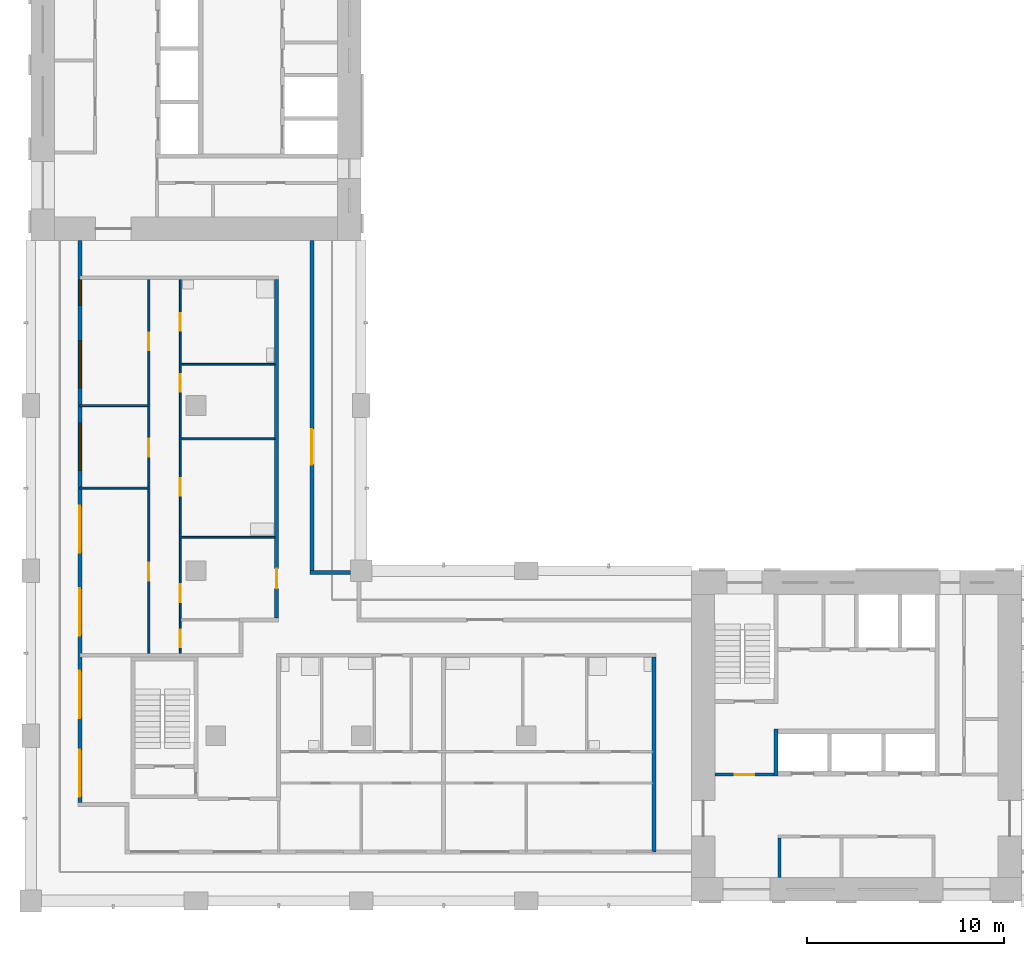
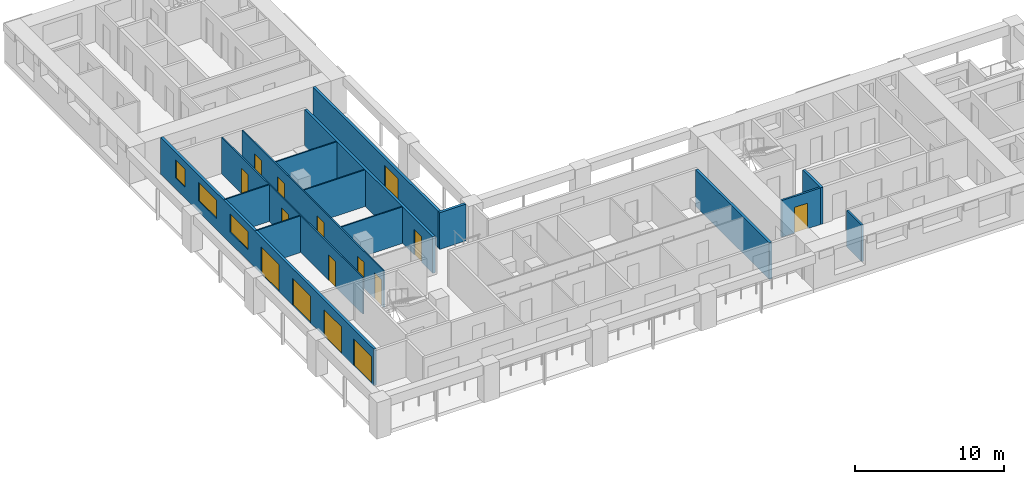
# One storey, part 3 of 11: 15 doors, 15 walls, 3 windows, 18 openings.
"""IFC4 building model written with IfcOpenShell, lengths in metres."""

from ifc_helpers import new_model, si_unit, direction, frame, frame_2d, origin, place, context, subcontext, project, spatial, rectangle, extrude, material, layer, layer_set, type_object, element, fill, save


model = new_model("IFC4")

# Units and contexts
model_context = context("Model", 3, precision=1e-05, world=origin(), true_north=direction((0.0, 1.0)))
body_context = subcontext(model_context, "Body", "Model", "MODEL_VIEW")
ifc_project = project(units=[si_unit("LENGTHUNIT", "METRE"), si_unit("AREAUNIT", "SQUARE_METRE"), si_unit("VOLUMEUNIT", "CUBIC_METRE"), si_unit("PLANEANGLEUNIT", "RADIAN"), si_unit("MASSUNIT", "GRAM", prefix="KILO")], contexts=[model_context])

# Site, building, storey
site_placement = place(None, origin())
site = spatial("IfcSite", under=ifc_project, at=site_placement, CompositionType="ELEMENT")
building_placement = place(site_placement, origin())
building = spatial("IfcBuilding", under=site, at=building_placement, Name="Vermilion Gate Residences", CompositionType="ELEMENT")
storey_placement = place(building_placement, frame((0.0, 0.0, 203.699951171875)))
storey = spatial("IfcBuildingStorey", under=building, at=storey_placement, Name="L53", CompositionType="ELEMENT", Elevation=203.699951171875)

# Wall
ifc_material_1 = material(Name="Masonry blockwork", Category="masonry")
ifc_layer_1 = layer(ifc_material_1, 0.14990234375)
ifc_layer_set_1 = layer_set([ifc_layer_1], Name="BLOCKWORK PARTITION 150 EI 120")
wall_type_1 = type_object("IfcWallType", Name="BLOCKWORK PARTITION 150 EI 120", PredefinedType="PARTITIONING", material=ifc_layer_set_1)
wall_1_placement = place(storey_placement, frame((46.47509765625, 9.60009765625, 0.0), z_axis=(0.0, 0.0, 1.0), x_axis=(0.0, 1.0, 0.0)))
element("IfcWall", 1, at=wall_1_placement, inside=storey, type_object=wall_type_1, Name="Core room partition A53-RW-W", PredefinedType="PARTITIONING", context=body_context, shape_type="SweptSolid", body=[
    extrude(rectangle(XDim=2.0, YDim=0.14990234375, at=frame_2d((1.0, 0.0))), origin(), (0.0, 0.0, 1.0), 3.0),
])

# Wall, opening, door
wall_2_placement = place(storey_placement, frame((43.199951171875, 14.824951171875, 0.0), z_axis=(0.0, 0.0, 1.0), x_axis=(1.0, 0.0, 0.0)))
wall_2 = element("IfcWall", 2, at=wall_2_placement, inside=storey, type_object=wall_type_1, Name="Core room partition A53-VW-S", PredefinedType="PARTITIONING", context=body_context, shape_type="SweptSolid", body=[
    extrude(rectangle(XDim=3.0, YDim=0.14990234375, at=frame_2d((1.5, 0.0))), origin(), (0.0, 0.0, 1.0), 3.0),
])
opening_1_placement = place(wall_2_placement, frame((1.0, 0.0, 0.0)))
opening_1 = element("IfcOpeningElement", 3, at=opening_1_placement, cuts=wall_2, Name="Opening DK53012", PredefinedType="OPENING", context=body_context, shape_type="SweptSolid", body=[
    extrude(rectangle(XDim=1.0, YDim=2.10009765625, at=frame_2d((0.5, 1.050048828125))), frame((0.0, 0.0849609375, 0.0), z_axis=(0.0, -1.0, 0.0), x_axis=(1.0, 0.0, 0.0)), (0.0, 0.0, 1.0), 0.169921875),
])
ifc_material_2 = material(Name="Steel", Category="steel")
door_type_1 = type_object("IfcDoorType", Name="FIRE DOOR FD60 1000 X 2100", OperationType="SINGLE_SWING_LEFT", PredefinedType="DOOR", material=ifc_material_2)
door_1_placement = place(opening_1_placement, frame((1.0, 0.0, 0.0), z_axis=(0.0, 0.0, 1.0), x_axis=(-1.0, 0.0, 0.0)))
door_1 = element("IfcDoor", 4, at=door_1_placement, inside=storey, type_object=door_type_1, Name="Stair vestibule door A53", OperationType="SINGLE_SWING_RIGHT", OverallHeight=2.10009765625, OverallWidth=1.0, PredefinedType="DOOR", context=body_context, shape_type="SweptSolid", body=[
    extrude(rectangle(XDim=1.0, YDim=2.10009765625, at=frame_2d((0.5, 1.050048828125))), frame((0.0, 0.02490234375, 0.0), z_axis=(0.0, -1.0, 0.0), x_axis=(1.0, 0.0, 0.0)), (0.0, 0.0, 1.0), 0.050048828125),
])
fill(opening_1, door_1)

# Wall, openings, doors, windows
ifc_material_3 = material(Name="Insulated steel stud wall with terracotta rainscreen", Category="masonry")
ifc_layer_2 = layer(ifc_material_3, 0.199951171875)
ifc_layer_set_2 = layer_set([ifc_layer_2], Name="EXTERNAL WALL 200 TERRACOTTA RAINSCREEN")
wall_type_2 = type_object("IfcWallType", Name="EXTERNAL WALL 200 TERRACOTTA RAINSCREEN", PredefinedType="SOLIDWALL", material=ifc_layer_set_2)
wall_3_placement = place(storey_placement, frame((10.89990234375, 42.0, 0.0), z_axis=(0.0, 0.0, 1.0), x_axis=(0.0, -1.0, 0.0)))
wall_3 = element("IfcWall", 5, at=wall_3_placement, inside=storey, type_object=wall_type_2, Name="External wall", PredefinedType="SOLIDWALL", context=body_context, shape_type="SweptSolid", body=[
    extrude(rectangle(XDim=28.60009765625, YDim=0.199951171875, at=frame_2d((14.300048828125, 0.0))), origin(), (0.0, 0.0, 1.0), 3.0),
])
opening_2_placement = place(wall_3_placement, frame((25.89990234375, 0.0, 0.0)))
opening_2 = element("IfcOpeningElement", 6, at=opening_2_placement, cuts=wall_3, Name="Opening DE53001", PredefinedType="OPENING", context=body_context, shape_type="SweptSolid", body=[
    extrude(rectangle(XDim=2.39990234375, YDim=2.199951171875, at=frame_2d((1.199951171875, 1.10009765625))), frame((0.0, 0.10986328125, 0.0), z_axis=(0.0, -1.0, 0.0), x_axis=(1.0, 0.0, 0.0)), (0.0, 0.0, 1.0), 0.219970703125),
])
opening_3_placement = place(wall_3_placement, frame((21.89990234375, 0.0, 0.0)))
opening_3 = element("IfcOpeningElement", 7, at=opening_3_placement, cuts=wall_3, Name="Opening DE53002", PredefinedType="OPENING", context=body_context, shape_type="SweptSolid", body=[
    extrude(rectangle(XDim=2.39990234375, YDim=2.199951171875, at=frame_2d((1.199951171875, 1.10009765625))), frame((0.0, 0.10986328125, 0.0), z_axis=(0.0, -1.0, 0.0), x_axis=(1.0, 0.0, 0.0)), (0.0, 0.0, 1.0), 0.219970703125),
])
opening_4_placement = place(wall_3_placement, frame((17.699951171875, 0.0, 0.0)))
opening_4 = element("IfcOpeningElement", 8, at=opening_4_placement, cuts=wall_3, Name="Opening DE53003", PredefinedType="OPENING", context=body_context, shape_type="SweptSolid", body=[
    extrude(rectangle(XDim=2.39990234375, YDim=2.199951171875, at=frame_2d((1.199951171875, 1.10009765625))), frame((0.0, 0.10986328125, 0.0), z_axis=(0.0, -1.0, 0.0), x_axis=(1.0, 0.0, 0.0)), (0.0, 0.0, 1.0), 0.219970703125),
])
opening_5_placement = place(wall_3_placement, frame((13.5, 0.0, 0.0)))
opening_5 = element("IfcOpeningElement", 9, at=opening_5_placement, cuts=wall_3, Name="Opening DE53004", PredefinedType="OPENING", context=body_context, shape_type="SweptSolid", body=[
    extrude(rectangle(XDim=2.39990234375, YDim=2.199951171875, at=frame_2d((1.199951171875, 1.10009765625))), frame((0.0, 0.10986328125, 0.0), z_axis=(0.0, -1.0, 0.0), x_axis=(1.0, 0.0, 0.0)), (0.0, 0.0, 1.0), 0.219970703125),
])
opening_6_placement = place(wall_3_placement, frame((9.300048828125, 0.0, 0.89990234375)))
opening_6 = element("IfcOpeningElement", 10, at=opening_6_placement, cuts=wall_3, Name="Opening WE53005", PredefinedType="OPENING", context=body_context, shape_type="SweptSolid", body=[
    extrude(rectangle(XDim=2.39990234375, YDim=1.5, at=frame_2d((1.199951171875, 0.75))), frame((0.0, 0.10986328125, 0.0), z_axis=(0.0, -1.0, 0.0), x_axis=(1.0, 0.0, 0.0)), (0.0, 0.0, 1.0), 0.219970703125),
])
opening_7_placement = place(wall_3_placement, frame((5.10009765625, 0.0, 0.89990234375)))
opening_7 = element("IfcOpeningElement", 11, at=opening_7_placement, cuts=wall_3, Name="Opening WE53006", PredefinedType="OPENING", context=body_context, shape_type="SweptSolid", body=[
    extrude(rectangle(XDim=2.39990234375, YDim=1.5, at=frame_2d((1.199951171875, 0.75))), frame((0.0, 0.10986328125, 0.0), z_axis=(0.0, -1.0, 0.0), x_axis=(1.0, 0.0, 0.0)), (0.0, 0.0, 1.0), 0.219970703125),
])
opening_8_placement = place(wall_3_placement, frame((2.0, 0.0, 0.89990234375)))
opening_8 = element("IfcOpeningElement", 12, at=opening_8_placement, cuts=wall_3, Name="Opening WE53007", PredefinedType="OPENING", context=body_context, shape_type="SweptSolid", body=[
    extrude(rectangle(XDim=1.300048828125, YDim=1.5, at=frame_2d((0.64990234375, 0.75))), frame((0.0, 0.10986328125, 0.0), z_axis=(0.0, -1.0, 0.0), x_axis=(1.0, 0.0, 0.0)), (0.0, 0.0, 1.0), 0.219970703125),
])
ifc_material_4 = material(Name="Aluminium and clear glass", Category="aluminium")
door_type_2 = type_object("IfcDoorType", Name="SLIDING GLAZED DOOR 2400 X 2200", OperationType="DOUBLE_DOOR_SLIDING", PredefinedType="DOOR", material=ifc_material_4)
door_2_placement = place(opening_2_placement, origin())
door_2 = element("IfcDoor", 13, at=door_2_placement, inside=storey, type_object=door_type_2, Name="Loggia sliding door", OperationType="DOUBLE_DOOR_SLIDING", OverallHeight=2.199951171875, OverallWidth=2.39990234375, PredefinedType="DOOR", context=body_context, shape_type="SweptSolid", body=[
    extrude(rectangle(XDim=2.39990234375, YDim=2.199951171875, at=frame_2d((1.199951171875, 1.10009765625))), frame((0.0, 0.02490234375, 0.0), z_axis=(0.0, -1.0, 0.0), x_axis=(1.0, 0.0, 0.0)), (0.0, 0.0, 1.0), 0.050048828125),
])
fill(opening_2, door_2)
door_3_placement = place(opening_3_placement, origin())
door_3 = element("IfcDoor", 14, at=door_3_placement, inside=storey, type_object=door_type_2, Name="Loggia sliding door", OperationType="DOUBLE_DOOR_SLIDING", OverallHeight=2.199951171875, OverallWidth=2.39990234375, PredefinedType="DOOR", context=body_context, shape_type="SweptSolid", body=[
    extrude(rectangle(XDim=2.39990234375, YDim=2.199951171875, at=frame_2d((1.199951171875, 1.10009765625))), frame((0.0, 0.02490234375, 0.0), z_axis=(0.0, -1.0, 0.0), x_axis=(1.0, 0.0, 0.0)), (0.0, 0.0, 1.0), 0.050048828125),
])
fill(opening_3, door_3)
door_4_placement = place(opening_4_placement, origin())
door_4 = element("IfcDoor", 15, at=door_4_placement, inside=storey, type_object=door_type_2, Name="Loggia sliding door", OperationType="DOUBLE_DOOR_SLIDING", OverallHeight=2.199951171875, OverallWidth=2.39990234375, PredefinedType="DOOR", context=body_context, shape_type="SweptSolid", body=[
    extrude(rectangle(XDim=2.39990234375, YDim=2.199951171875, at=frame_2d((1.199951171875, 1.10009765625))), frame((0.0, 0.02490234375, 0.0), z_axis=(0.0, -1.0, 0.0), x_axis=(1.0, 0.0, 0.0)), (0.0, 0.0, 1.0), 0.050048828125),
])
fill(opening_4, door_4)
door_5_placement = place(opening_5_placement, origin())
door_5 = element("IfcDoor", 16, at=door_5_placement, inside=storey, type_object=door_type_2, Name="Loggia sliding door", OperationType="DOUBLE_DOOR_SLIDING", OverallHeight=2.199951171875, OverallWidth=2.39990234375, PredefinedType="DOOR", context=body_context, shape_type="SweptSolid", body=[
    extrude(rectangle(XDim=2.39990234375, YDim=2.199951171875, at=frame_2d((1.199951171875, 1.10009765625))), frame((0.0, 0.02490234375, 0.0), z_axis=(0.0, -1.0, 0.0), x_axis=(1.0, 0.0, 0.0)), (0.0, 0.0, 1.0), 0.050048828125),
])
fill(opening_5, door_5)
ifc_material_5 = material(Name="Aluminium and clear glass", Category="aluminium")
window_type_1 = type_object("IfcWindowType", Name="WINDOW 1300 X 1500", PartitioningType="SINGLE_PANEL", PredefinedType="WINDOW", material=ifc_material_5)
window_1_placement = place(opening_8_placement, origin())
window_1 = element("IfcWindow", 17, at=window_1_placement, inside=storey, type_object=window_type_1, Name="Window", OverallHeight=1.5, OverallWidth=1.300048828125, PartitioningType="SINGLE_PANEL", PredefinedType="WINDOW", context=body_context, shape_type="SweptSolid", body=[
    extrude(rectangle(XDim=1.300048828125, YDim=1.5, at=frame_2d((0.64990234375, 0.75))), frame((0.0, 0.030029296875, 0.0), z_axis=(0.0, -1.0, 0.0), x_axis=(1.0, 0.0, 0.0)), (0.0, 0.0, 1.0), 0.06005859375),
])
fill(opening_8, window_1)
ifc_material_6 = material(Name="Aluminium and clear glass", Category="aluminium")
window_type_2 = type_object("IfcWindowType", Name="WINDOW 2400 X 1500", PartitioningType="SINGLE_PANEL", PredefinedType="WINDOW", material=ifc_material_6)
window_2_placement = place(opening_6_placement, origin())
window_2 = element("IfcWindow", 18, at=window_2_placement, inside=storey, type_object=window_type_2, Name="Window", OverallHeight=1.5, OverallWidth=2.39990234375, PartitioningType="SINGLE_PANEL", PredefinedType="WINDOW", context=body_context, shape_type="SweptSolid", body=[
    extrude(rectangle(XDim=2.39990234375, YDim=1.5, at=frame_2d((1.199951171875, 0.75))), frame((0.0, 0.030029296875, 0.0), z_axis=(0.0, -1.0, 0.0), x_axis=(1.0, 0.0, 0.0)), (0.0, 0.0, 1.0), 0.06005859375),
])
fill(opening_6, window_2)
window_3_placement = place(opening_7_placement, origin())
window_3 = element("IfcWindow", 19, at=window_3_placement, inside=storey, type_object=window_type_2, Name="Window", OverallHeight=1.5, OverallWidth=2.39990234375, PartitioningType="SINGLE_PANEL", PredefinedType="WINDOW", context=body_context, shape_type="SweptSolid", body=[
    extrude(rectangle(XDim=2.39990234375, YDim=1.5, at=frame_2d((1.199951171875, 0.75))), frame((0.0, 0.030029296875, 0.0), z_axis=(0.0, -1.0, 0.0), x_axis=(1.0, 0.0, 0.0)), (0.0, 0.0, 1.0), 0.06005859375),
])
fill(opening_7, window_3)

# Wall
wall_4_placement = place(storey_placement, frame((24.64990234375, 25.10009765625, 0.0), z_axis=(0.0, 0.0, 1.0), x_axis=(-1.0, 0.0, 0.0)))
element("IfcWall", 20, at=wall_4_placement, inside=storey, type_object=wall_type_2, Name="External wall", PredefinedType="SOLIDWALL", context=body_context, shape_type="SweptSolid", body=[
    extrude(rectangle(XDim=2.0498046875, YDim=0.199951171875, at=frame_2d((1.02490234375, 0.0))), origin(), (0.0, 0.0, 1.0), 3.0),
])

# Wall, opening, door
wall_5_placement = place(storey_placement, frame((22.699951171875, 25.199951171875, 0.0), z_axis=(0.0, 0.0, 1.0), x_axis=(0.0, 1.0, 0.0)))
wall_5 = element("IfcWall", 21, at=wall_5_placement, inside=storey, type_object=wall_type_2, Name="External wall", PredefinedType="SOLIDWALL", context=body_context, shape_type="SweptSolid", body=[
    extrude(rectangle(XDim=16.800048828125, YDim=0.199951171875, at=frame_2d((8.39990234375, 0.0))), origin(), (0.0, 0.0, 1.0), 3.0),
])
opening_9_placement = place(wall_5_placement, frame((5.39990234375, 0.0, 0.0)))
opening_9 = element("IfcOpeningElement", 22, at=opening_9_placement, cuts=wall_5, Name="Opening DE53021", PredefinedType="OPENING", context=body_context, shape_type="SweptSolid", body=[
    extrude(rectangle(XDim=1.800048828125, YDim=2.39990234375, at=frame_2d((0.89990234375, 1.199951171875))), frame((0.0, 0.10986328125, 0.0), z_axis=(0.0, -1.0, 0.0), x_axis=(1.0, 0.0, 0.0)), (0.0, 0.0, 1.0), 0.219970703125),
])
ifc_material_7 = material(Name="Aluminium and clear glass", Category="aluminium")
door_type_3 = type_object("IfcDoorType", Name="GLAZED EXTERNAL DOOR 1800 X 2400", OperationType="DOUBLE_DOOR_SINGLE_SWING", PredefinedType="DOOR", material=ifc_material_7)
door_6_placement = place(opening_9_placement, frame((1.800048828125, 0.0, 0.0), z_axis=(0.0, 0.0, 1.0), x_axis=(-1.0, 0.0, 0.0)))
door_6 = element("IfcDoor", 23, at=door_6_placement, inside=storey, type_object=door_type_3, Name="Gallery door", OperationType="DOUBLE_DOOR_SINGLE_SWING", OverallHeight=2.39990234375, OverallWidth=1.800048828125, PredefinedType="DOOR", context=body_context, shape_type="SweptSolid", body=[
    extrude(rectangle(XDim=1.800048828125, YDim=2.39990234375, at=frame_2d((0.89990234375, 1.199951171875))), frame((0.0, 0.02490234375, 0.0), z_axis=(0.0, -1.0, 0.0), x_axis=(1.0, 0.0, 0.0)), (0.0, 0.0, 1.0), 0.050048828125),
])
fill(opening_9, door_6)

# Walls
ifc_material_8 = material(Name="Plasterboard on steel studs", Category="steel")
ifc_layer_3 = layer(ifc_material_8, 0.10009765625)
ifc_layer_set_3 = layer_set([ifc_layer_3], Name="PARTITION 100")
wall_type_3 = type_object("IfcWallType", Name="PARTITION 100", PredefinedType="PARTITIONING", material=ifc_layer_set_3)
wall_6_placement = place(storey_placement, frame((16.050048828125, 26.89990234375, 0.0), z_axis=(0.0, 0.0, 1.0), x_axis=(1.0, 0.0, 0.0)))
element("IfcWall", 24, at=wall_6_placement, inside=storey, type_object=wall_type_3, Name="Partition", PredefinedType="PARTITIONING", context=body_context, shape_type="SweptSolid", body=[
    extrude(rectangle(XDim=4.75, YDim=0.10009765625, at=frame_2d((2.375, 0.0))), origin(), (0.0, 0.0, 1.0), 3.0),
])
wall_7_placement = place(storey_placement, frame((10.89990234375, 29.39990234375, 0.0), z_axis=(0.0, 0.0, 1.0), x_axis=(1.0, 0.0, 0.0)))
element("IfcWall", 25, at=wall_7_placement, inside=storey, type_object=wall_type_3, Name="Partition", PredefinedType="PARTITIONING", context=body_context, shape_type="SweptSolid", body=[
    extrude(rectangle(XDim=3.4501953125, YDim=0.10009765625, at=frame_2d((1.72509765625, 0.0))), origin(), (0.0, 0.0, 1.0), 3.0),
])
wall_8_placement = place(storey_placement, frame((16.050048828125, 31.89990234375, 0.0), z_axis=(0.0, 0.0, 1.0), x_axis=(1.0, 0.0, 0.0)))
element("IfcWall", 26, at=wall_8_placement, inside=storey, type_object=wall_type_3, Name="Partition", PredefinedType="PARTITIONING", context=body_context, shape_type="SweptSolid", body=[
    extrude(rectangle(XDim=4.75, YDim=0.10009765625, at=frame_2d((2.375, 0.0))), origin(), (0.0, 0.0, 1.0), 3.0),
])
wall_9_placement = place(storey_placement, frame((10.89990234375, 33.60009765625, 0.0), z_axis=(0.0, 0.0, 1.0), x_axis=(1.0, 0.0, 0.0)))
element("IfcWall", 27, at=wall_9_placement, inside=storey, type_object=wall_type_3, Name="Partition", PredefinedType="PARTITIONING", context=body_context, shape_type="SweptSolid", body=[
    extrude(rectangle(XDim=3.4501953125, YDim=0.10009765625, at=frame_2d((1.72509765625, 0.0))), origin(), (0.0, 0.0, 1.0), 3.0),
])
wall_10_placement = place(storey_placement, frame((16.050048828125, 35.699951171875, 0.0), z_axis=(0.0, 0.0, 1.0), x_axis=(1.0, 0.0, 0.0)))
element("IfcWall", 28, at=wall_10_placement, inside=storey, type_object=wall_type_3, Name="Partition", PredefinedType="PARTITIONING", context=body_context, shape_type="SweptSolid", body=[
    extrude(rectangle(XDim=4.75, YDim=0.10009765625, at=frame_2d((2.375, 0.0))), origin(), (0.0, 0.0, 1.0), 3.0),
])

# Wall, openings, doors
wall_11_placement = place(storey_placement, frame((14.39990234375, 21.0, 0.0), z_axis=(0.0, 0.0, 1.0), x_axis=(0.0, 1.0, 0.0)))
wall_11 = element("IfcWall", 29, at=wall_11_placement, inside=storey, type_object=wall_type_3, Name="Partition", PredefinedType="PARTITIONING", context=body_context, shape_type="SweptSolid", body=[
    extrude(rectangle(XDim=19.0, YDim=0.10009765625, at=frame_2d((9.5, 0.0))), origin(), (0.0, 0.0, 1.0), 3.0),
])
opening_10_placement = place(wall_11_placement, frame((3.699951171875, 0.0, 0.0)))
opening_10 = element("IfcOpeningElement", 30, at=opening_10_placement, cuts=wall_11, Name="Opening DA52015", PredefinedType="OPENING", context=body_context, shape_type="SweptSolid", body=[
    extrude(rectangle(XDim=0.89990234375, YDim=2.10009765625, at=frame_2d((0.449951171875, 1.050048828125))), frame((0.0, 0.06005859375, 0.0), z_axis=(0.0, -1.0, 0.0), x_axis=(1.0, 0.0, 0.0)), (0.0, 0.0, 1.0), 0.1201171875),
])
opening_11_placement = place(wall_11_placement, frame((10.0, 0.0, 0.0)))
opening_11 = element("IfcOpeningElement", 31, at=opening_11_placement, cuts=wall_11, Name="Opening DA52016", PredefinedType="OPENING", context=body_context, shape_type="SweptSolid", body=[
    extrude(rectangle(XDim=0.89990234375, YDim=2.10009765625, at=frame_2d((0.449951171875, 1.050048828125))), frame((0.0, 0.06005859375, 0.0), z_axis=(0.0, -1.0, 0.0), x_axis=(1.0, 0.0, 0.0)), (0.0, 0.0, 1.0), 0.1201171875),
])
opening_12_placement = place(wall_11_placement, frame((15.39990234375, 0.0, 0.0)))
opening_12 = element("IfcOpeningElement", 32, at=opening_12_placement, cuts=wall_11, Name="Opening DA52017", PredefinedType="OPENING", context=body_context, shape_type="SweptSolid", body=[
    extrude(rectangle(XDim=0.89990234375, YDim=2.10009765625, at=frame_2d((0.449951171875, 1.050048828125))), frame((0.0, 0.06005859375, 0.0), z_axis=(0.0, -1.0, 0.0), x_axis=(1.0, 0.0, 0.0)), (0.0, 0.0, 1.0), 0.1201171875),
])
ifc_material_9 = material(Name="Timber", Category="wood")
door_type_4 = type_object("IfcDoorType", Name="INTERIOR DOOR 900 X 2100", OperationType="SINGLE_SWING_LEFT", PredefinedType="DOOR", material=ifc_material_9)
door_7_placement = place(opening_10_placement, origin())
door_7 = element("IfcDoor", 33, at=door_7_placement, inside=storey, type_object=door_type_4, Name="Interior door", OperationType="SINGLE_SWING_LEFT", OverallHeight=2.10009765625, OverallWidth=0.89990234375, PredefinedType="DOOR", context=body_context, shape_type="SweptSolid", body=[
    extrude(rectangle(XDim=0.89990234375, YDim=2.10009765625, at=frame_2d((0.449951171875, 1.050048828125))), frame((0.0, 0.02490234375, 0.0), z_axis=(0.0, -1.0, 0.0), x_axis=(1.0, 0.0, 0.0)), (0.0, 0.0, 1.0), 0.050048828125),
])
fill(opening_10, door_7)
door_8_placement = place(opening_11_placement, origin())
door_8 = element("IfcDoor", 34, at=door_8_placement, inside=storey, type_object=door_type_4, Name="Interior door", OperationType="SINGLE_SWING_LEFT", OverallHeight=2.10009765625, OverallWidth=0.89990234375, PredefinedType="DOOR", context=body_context, shape_type="SweptSolid", body=[
    extrude(rectangle(XDim=0.89990234375, YDim=2.10009765625, at=frame_2d((0.449951171875, 1.050048828125))), frame((0.0, 0.02490234375, 0.0), z_axis=(0.0, -1.0, 0.0), x_axis=(1.0, 0.0, 0.0)), (0.0, 0.0, 1.0), 0.050048828125),
])
fill(opening_11, door_8)
door_9_placement = place(opening_12_placement, origin())
door_9 = element("IfcDoor", 35, at=door_9_placement, inside=storey, type_object=door_type_4, Name="Interior door", OperationType="SINGLE_SWING_RIGHT", OverallHeight=2.10009765625, OverallWidth=0.89990234375, PredefinedType="DOOR", context=body_context, shape_type="SweptSolid", body=[
    extrude(rectangle(XDim=0.89990234375, YDim=2.10009765625, at=frame_2d((0.449951171875, 1.050048828125))), frame((0.0, 0.02490234375, 0.0), z_axis=(0.0, -1.0, 0.0), x_axis=(1.0, 0.0, 0.0)), (0.0, 0.0, 1.0), 0.050048828125),
])
fill(opening_12, door_9)

wall_12_placement = place(storey_placement, frame((16.0, 21.0, 0.0), z_axis=(0.0, 0.0, 1.0), x_axis=(0.0, 1.0, 0.0)))
wall_12 = element("IfcWall", 36, at=wall_12_placement, inside=storey, type_object=wall_type_3, Name="Partition", PredefinedType="PARTITIONING", context=body_context, shape_type="SweptSolid", body=[
    extrude(rectangle(XDim=19.0, YDim=0.10009765625, at=frame_2d((9.5, 0.0))), origin(), (0.0, 0.0, 1.0), 3.0),
])
opening_13_placement = place(wall_12_placement, frame((2.60009765625, 0.0, 0.0)))
opening_13 = element("IfcOpeningElement", 37, at=opening_13_placement, cuts=wall_12, Name="Opening DA52018", PredefinedType="OPENING", context=body_context, shape_type="SweptSolid", body=[
    extrude(rectangle(XDim=0.89990234375, YDim=2.10009765625, at=frame_2d((0.449951171875, 1.050048828125))), frame((0.0, 0.06005859375, 0.0), z_axis=(0.0, -1.0, 0.0), x_axis=(1.0, 0.0, 0.0)), (0.0, 0.0, 1.0), 0.1201171875),
])
opening_14_placement = place(wall_12_placement, frame((0.300048828125, 0.0, 0.0)))
opening_14 = element("IfcOpeningElement", 38, at=opening_14_placement, cuts=wall_12, Name="Opening DA52019", PredefinedType="OPENING", context=body_context, shape_type="SweptSolid", body=[
    extrude(rectangle(XDim=0.89990234375, YDim=2.10009765625, at=frame_2d((0.449951171875, 1.050048828125))), frame((0.0, 0.06005859375, 0.0), z_axis=(0.0, -1.0, 0.0), x_axis=(1.0, 0.0, 0.0)), (0.0, 0.0, 1.0), 0.1201171875),
])
opening_15_placement = place(wall_12_placement, frame((8.0, 0.0, 0.0)))
opening_15 = element("IfcOpeningElement", 39, at=opening_15_placement, cuts=wall_12, Name="Opening DA52020", PredefinedType="OPENING", context=body_context, shape_type="SweptSolid", body=[
    extrude(rectangle(XDim=0.89990234375, YDim=2.10009765625, at=frame_2d((0.449951171875, 1.050048828125))), frame((0.0, 0.06005859375, 0.0), z_axis=(0.0, -1.0, 0.0), x_axis=(1.0, 0.0, 0.0)), (0.0, 0.0, 1.0), 0.1201171875),
])
opening_16_placement = place(wall_12_placement, frame((13.300048828125, 0.0, 0.0)))
opening_16 = element("IfcOpeningElement", 40, at=opening_16_placement, cuts=wall_12, Name="Opening DA52021", PredefinedType="OPENING", context=body_context, shape_type="SweptSolid", body=[
    extrude(rectangle(XDim=0.89990234375, YDim=2.10009765625, at=frame_2d((0.449951171875, 1.050048828125))), frame((0.0, 0.06005859375, 0.0), z_axis=(0.0, -1.0, 0.0), x_axis=(1.0, 0.0, 0.0)), (0.0, 0.0, 1.0), 0.1201171875),
])
opening_17_placement = place(wall_12_placement, frame((16.39990234375, 0.0, 0.0)))
opening_17 = element("IfcOpeningElement", 41, at=opening_17_placement, cuts=wall_12, Name="Opening DA52022", PredefinedType="OPENING", context=body_context, shape_type="SweptSolid", body=[
    extrude(rectangle(XDim=0.89990234375, YDim=2.10009765625, at=frame_2d((0.449951171875, 1.050048828125))), frame((0.0, 0.06005859375, 0.0), z_axis=(0.0, -1.0, 0.0), x_axis=(1.0, 0.0, 0.0)), (0.0, 0.0, 1.0), 0.1201171875),
])
door_10_placement = place(opening_13_placement, frame((0.89990234375, 0.0, 0.0), z_axis=(0.0, 0.0, 1.0), x_axis=(-1.0, 0.0, 0.0)))
door_10 = element("IfcDoor", 42, at=door_10_placement, inside=storey, type_object=door_type_4, Name="Interior door", OperationType="SINGLE_SWING_RIGHT", OverallHeight=2.10009765625, OverallWidth=0.89990234375, PredefinedType="DOOR", context=body_context, shape_type="SweptSolid", body=[
    extrude(rectangle(XDim=0.89990234375, YDim=2.10009765625, at=frame_2d((0.449951171875, 1.050048828125))), frame((0.0, 0.02490234375, 0.0), z_axis=(0.0, -1.0, 0.0), x_axis=(1.0, 0.0, 0.0)), (0.0, 0.0, 1.0), 0.050048828125),
])
fill(opening_13, door_10)
door_11_placement = place(opening_14_placement, frame((0.89990234375, 0.0, 0.0), z_axis=(0.0, 0.0, 1.0), x_axis=(-1.0, 0.0, 0.0)))
door_11 = element("IfcDoor", 43, at=door_11_placement, inside=storey, type_object=door_type_4, Name="Interior door", OperationType="SINGLE_SWING_RIGHT", OverallHeight=2.10009765625, OverallWidth=0.89990234375, PredefinedType="DOOR", context=body_context, shape_type="SweptSolid", body=[
    extrude(rectangle(XDim=0.89990234375, YDim=2.10009765625, at=frame_2d((0.449951171875, 1.050048828125))), frame((0.0, 0.02490234375, 0.0), z_axis=(0.0, -1.0, 0.0), x_axis=(1.0, 0.0, 0.0)), (0.0, 0.0, 1.0), 0.050048828125),
])
fill(opening_14, door_11)
door_12_placement = place(opening_15_placement, frame((0.89990234375, 0.0, 0.0), z_axis=(0.0, 0.0, 1.0), x_axis=(-1.0, 0.0, 0.0)))
door_12 = element("IfcDoor", 44, at=door_12_placement, inside=storey, type_object=door_type_4, Name="Interior door", OperationType="SINGLE_SWING_LEFT", OverallHeight=2.10009765625, OverallWidth=0.89990234375, PredefinedType="DOOR", context=body_context, shape_type="SweptSolid", body=[
    extrude(rectangle(XDim=0.89990234375, YDim=2.10009765625, at=frame_2d((0.449951171875, 1.050048828125))), frame((0.0, 0.02490234375, 0.0), z_axis=(0.0, -1.0, 0.0), x_axis=(1.0, 0.0, 0.0)), (0.0, 0.0, 1.0), 0.050048828125),
])
fill(opening_15, door_12)
door_13_placement = place(opening_16_placement, frame((0.89990234375, 0.0, 0.0), z_axis=(0.0, 0.0, 1.0), x_axis=(-1.0, 0.0, 0.0)))
door_13 = element("IfcDoor", 45, at=door_13_placement, inside=storey, type_object=door_type_4, Name="Interior door", OperationType="SINGLE_SWING_LEFT", OverallHeight=2.10009765625, OverallWidth=0.89990234375, PredefinedType="DOOR", context=body_context, shape_type="SweptSolid", body=[
    extrude(rectangle(XDim=0.89990234375, YDim=2.10009765625, at=frame_2d((0.449951171875, 1.050048828125))), frame((0.0, 0.02490234375, 0.0), z_axis=(0.0, -1.0, 0.0), x_axis=(1.0, 0.0, 0.0)), (0.0, 0.0, 1.0), 0.050048828125),
])
fill(opening_16, door_13)
door_14_placement = place(opening_17_placement, frame((0.89990234375, 0.0, 0.0), z_axis=(0.0, 0.0, 1.0), x_axis=(-1.0, 0.0, 0.0)))
door_14 = element("IfcDoor", 46, at=door_14_placement, inside=storey, type_object=door_type_4, Name="Interior door", OperationType="SINGLE_SWING_LEFT", OverallHeight=2.10009765625, OverallWidth=0.89990234375, PredefinedType="DOOR", context=body_context, shape_type="SweptSolid", body=[
    extrude(rectangle(XDim=0.89990234375, YDim=2.10009765625, at=frame_2d((0.449951171875, 1.050048828125))), frame((0.0, 0.02490234375, 0.0), z_axis=(0.0, -1.0, 0.0), x_axis=(1.0, 0.0, 0.0)), (0.0, 0.0, 1.0), 0.050048828125),
])
fill(opening_17, door_14)

# Wall, opening, door
ifc_material_10 = material(Name="Fire-rated plasterboard on steel studs", Category="steel")
ifc_layer_4 = layer(ifc_material_10, 0.199951171875)
ifc_layer_set_4 = layer_set([ifc_layer_4], Name="PARTY WALL 200 EI 120")
wall_type_4 = type_object("IfcWallType", Name="PARTY WALL 200 EI 120", PredefinedType="PARTITIONING", material=ifc_layer_set_4)
wall_13_placement = place(storey_placement, frame((20.89990234375, 22.800048828125, 0.0), z_axis=(0.0, 0.0, 1.0), x_axis=(0.0, 1.0, 0.0)))
wall_13 = element("IfcWall", 47, at=wall_13_placement, inside=storey, type_object=wall_type_4, Name="Party and corridor wall", PredefinedType="PARTITIONING", context=body_context, shape_type="SweptSolid", body=[
    extrude(rectangle(XDim=17.199951171875, YDim=0.199951171875, at=frame_2d((8.60009765625, 0.0))), origin(), (0.0, 0.0, 1.0), 3.0),
])
opening_18_placement = place(wall_13_placement, frame((1.5, 0.0, 0.0)))
opening_18 = element("IfcOpeningElement", 48, at=opening_18_placement, cuts=wall_13, Name="Opening DA52023", PredefinedType="OPENING", context=body_context, shape_type="SweptSolid", body=[
    extrude(rectangle(XDim=1.0, YDim=2.10009765625, at=frame_2d((0.5, 1.050048828125))), frame((0.0, 0.10986328125, 0.0), z_axis=(0.0, -1.0, 0.0), x_axis=(1.0, 0.0, 0.0)), (0.0, 0.0, 1.0), 0.219970703125),
])
ifc_material_11 = material(Name="Steel", Category="steel")
door_type_5 = type_object("IfcDoorType", Name="ENTRANCE DOOR 1000 X 2100 FD30", OperationType="SINGLE_SWING_LEFT", PredefinedType="DOOR", material=ifc_material_11)
door_15_placement = place(opening_18_placement, origin())
door_15 = element("IfcDoor", 49, at=door_15_placement, inside=storey, type_object=door_type_5, Name="Entrance door", OperationType="SINGLE_SWING_LEFT", OverallHeight=2.10009765625, OverallWidth=1.0, PredefinedType="DOOR", context=body_context, shape_type="SweptSolid", body=[
    extrude(rectangle(XDim=1.0, YDim=2.10009765625, at=frame_2d((0.5, 1.050048828125))), frame((0.0, 0.02490234375, 0.0), z_axis=(0.0, -1.0, 0.0), x_axis=(1.0, 0.0, 0.0)), (0.0, 0.0, 1.0), 0.050048828125),
])
fill(opening_18, door_15)

# Walls
wall_14_placement = place(storey_placement, frame((40.10009765625, 10.89990234375, 0.0), z_axis=(0.0, 0.0, 1.0), x_axis=(0.0, 1.0, 0.0)))
element("IfcWall", 50, at=wall_14_placement, inside=storey, type_object=wall_type_4, Name="Party and corridor wall", PredefinedType="PARTITIONING", context=body_context, shape_type="SweptSolid", body=[
    extrude(rectangle(XDim=9.900146484375, YDim=0.199951171875, at=frame_2d((4.9501953125, 0.0))), origin(), (0.0, 0.0, 1.0), 3.0),
])
ifc_material_12 = material(Name="Concrete C60", Category="concrete")
ifc_layer_5 = layer(ifc_material_12, 0.199951171875)
ifc_layer_set_5 = layer_set([ifc_layer_5], Name="RC CORE INTERNAL WALL 200 C60")
wall_type_5 = type_object("IfcWallType", Name="RC CORE INTERNAL WALL 200 C60", PredefinedType="SHEAR", material=ifc_layer_set_5)
wall_15_placement = place(storey_placement, frame((46.300048828125, 14.75, 0.0), z_axis=(0.0, 0.0, 1.0), x_axis=(0.0, 1.0, 0.0)))
element("IfcWall", 51, at=wall_15_placement, inside=storey, type_object=wall_type_5, Name="Core internal wall A53-WDIV1", PredefinedType="SHEAR", context=body_context, shape_type="SweptSolid", body=[
    extrude(rectangle(XDim=2.39990234375, YDim=0.199951171875, at=frame_2d((1.199951171875, 0.0))), origin(), (0.0, 0.0, 1.0), 3.0),
])

save(model, "model.ifc")
